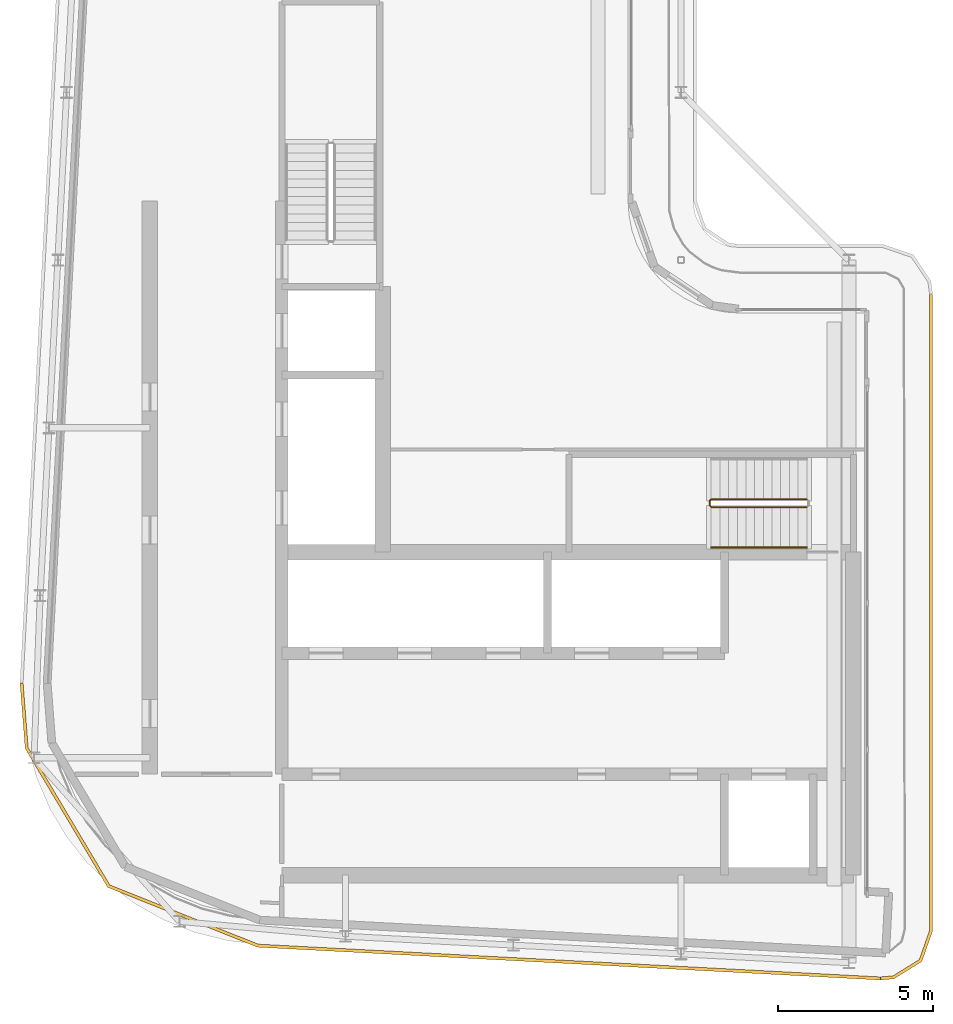
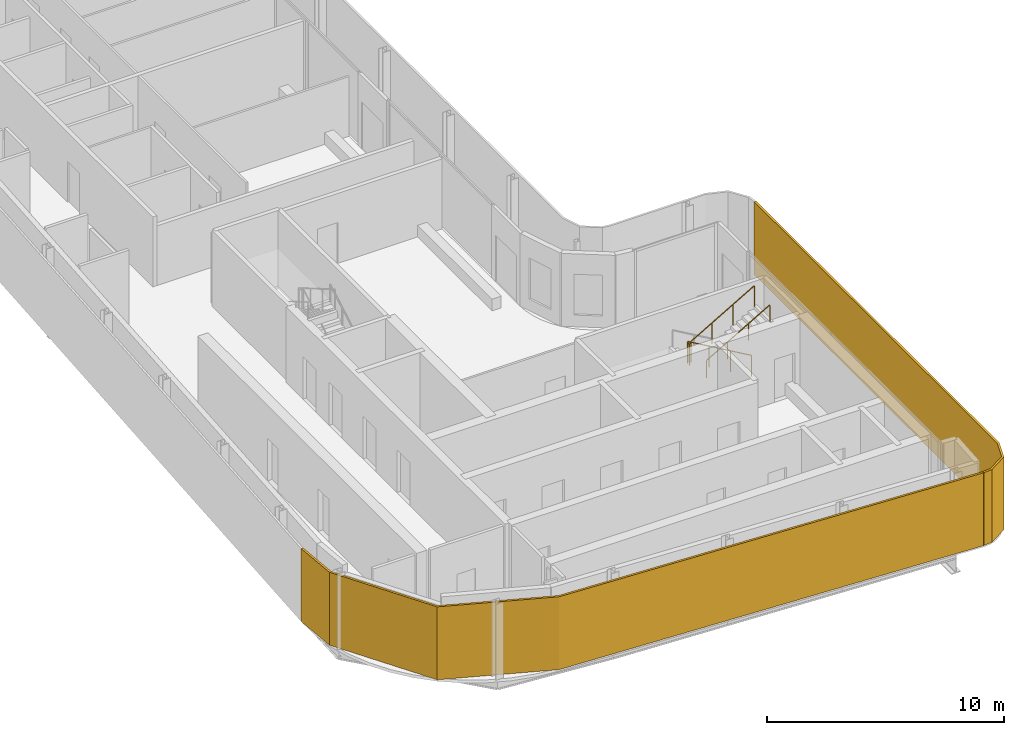
# One storey, part 13 of 19: 2 railings, 2 shading devices.
"""IFC4 building model written with IfcOpenShell, lengths in metres."""

from ifc_helpers import new_model, si_unit, direction, frame, origin, origin_2d, place, context, subcontext, project, spatial, polyline, circle, outline, extrude, material, layer, layer_set, type_object, element, save


model = new_model("IFC4")

# Units and contexts
model_context = context("Model", 3, precision=1e-05, world=origin(), true_north=direction((0.0, 1.0)))
body_context = subcontext(model_context, "Body", "Model", "MODEL_VIEW")
ifc_project = project(units=[si_unit("LENGTHUNIT", "METRE"), si_unit("AREAUNIT", "SQUARE_METRE"), si_unit("VOLUMEUNIT", "CUBIC_METRE"), si_unit("PLANEANGLEUNIT", "RADIAN"), si_unit("MASSUNIT", "GRAM", prefix="KILO")], contexts=[model_context])

# Site, building, storey
site_placement = place(None, origin())
site = spatial("IfcSite", under=ifc_project, at=site_placement, CompositionType="ELEMENT")
building_placement = place(site_placement, origin())
building = spatial("IfcBuilding", under=site, at=building_placement, Name="Kheshtan School and Residences Tower", CompositionType="ELEMENT")
storey_placement = place(building_placement, frame((0.0, 0.0, 353.89990234375)))
storey = spatial("IfcBuildingStorey", under=building, at=storey_placement, Name="L83", CompositionType="ELEMENT", Elevation=353.89990234375)

# Shading devices
ifc_material_1 = material(Name="Terracotta baguette, extruded ceramic", Category="masonry")
ifc_layer_1 = layer(ifc_material_1, 0.10009765625)
ifc_layer_set_1 = layer_set([ifc_layer_1], Name="Ledge screen, terracotta baguettes")
shading_device_type_1 = type_object("IfcShadingDeviceType", Name="Ledge screen, terracotta baguettes", PredefinedType="USERDEFINED", material=ifc_layer_set_1)
shading_device_1_placement = place(storey_placement, origin())
element("IfcShadingDevice", 1, at=shading_device_1_placement, inside=storey, type_object=shading_device_type_1, Name="Screen L83 3", ObjectType="BAGUETTE", PredefinedType="USERDEFINED", context=body_context, shape_type="SweptSolid", body=[
    extrude(outline(polyline([(54.02099609375, 22.52490234375), (33.989013671875, 23.580078125), (29.2119140625, 25.486083984375), (26.583984375, 29.906982421875), (26.419921875, 31.989013671875), (26.320068359375, 31.98095703125), (26.486083984375, 29.8759765625), (29.14306640625, 25.406005859375), (33.967041015625, 23.48095703125), (54.01611328125, 22.425048828125), (54.02099609375, 22.52490234375)])), origin(), (0.0, 0.0, 1.0), 3.75),
])
ifc_material_2 = material(Name="Terracotta lattice, extruded ceramic", Category="masonry")
ifc_layer_2 = layer(ifc_material_2, 0.10009765625)
ifc_layer_set_2 = layer_set([ifc_layer_2], Name="Loggia screen, terracotta lattice")
shading_device_type_2 = type_object("IfcShadingDeviceType", Name="Loggia screen, terracotta lattice", PredefinedType="USERDEFINED", material=ifc_layer_set_2)
shading_device_2_placement = place(storey_placement, origin())
element("IfcShadingDevice", 2, at=shading_device_2_placement, inside=storey, type_object=shading_device_type_2, Name="Screen L83 2", ObjectType="SCREEN", PredefinedType="USERDEFINED", context=body_context, shape_type="SweptSolid", body=[
    extrude(outline(polyline([(55.60009765625, 44.5), (55.60009765625, 24.02294921875), (55.27001953125, 23.083984375), (54.424072265625, 22.55908203125), (54.02099609375, 22.52490234375), (54.029052734375, 22.425048828125), (54.4560546875, 22.4609375), (55.35302734375, 23.01806640625), (55.699951171875, 24.006103515625), (55.699951171875, 44.5), (55.60009765625, 44.5)])), origin(), (0.0, 0.0, 1.0), 3.75),
])

# Railings
ifc_material_3 = material(Name="Stainless steel balustrade", Category="steel")
railing_type_1 = type_object("IfcRailingType", Name="Stair guard 1100", PredefinedType="GUARDRAIL", material=ifc_material_3)
railing_1_placement = place(storey_placement, frame((51.64990234375, 37.89990234375, 0.16259765625)))
element("IfcRailing", 3, at=railing_1_placement, inside=storey, type_object=railing_type_1, Name="L83 ST1 stair guard 1", PredefinedType="GUARDRAIL", context=body_context, shape_type="SweptSolid", body=[
    extrude(circle(Radius=0.02392578125, at=origin_2d()), frame((0.0, 0.0, 1.076171875), z_axis=(-0.864873446163, 0.0, 0.501989962173), x_axis=(0.0, -1.0, 0.0)), (0.0, 0.0, 1.0), 3.56103515625),
    extrude(circle(Radius=0.02392578125, at=origin_2d()), frame((-3.079833984375, 0.0, 2.86376953125), z_axis=(-0.708833529934, -0.705375805398, 0.0), x_axis=(0.705375805398, -0.708833529934, 0.0)), (0.0, 0.0, 1.0), 0.070556640625),
    extrude(circle(Radius=0.02392578125, at=origin_2d()), frame((-3.1298828125, -0.0498046875, 2.86376953125), z_axis=(0.0, -1.0, 0.0), x_axis=(1.0, 0.0, 0.0)), (0.0, 0.0, 1.0), 0.150146484375),
    extrude(circle(Radius=0.02392578125, at=origin_2d()), frame((-3.1298828125, -0.199951171875, 2.86376953125), z_axis=(0.282583949758, -0.282583949758, 0.916674763849), x_axis=(0.707106781187, 0.707106781187, 0.0)), (0.0, 0.0, 1.0), 0.177001953125),
    extrude(circle(Radius=0.02392578125, at=origin_2d()), frame((-3.079833984375, -0.25, 3.02587890625), z_axis=(0.864873446163, 0.0, 0.501989962173), x_axis=(0.0, 1.0, 0.0)), (0.0, 0.0, 1.0), 3.56103515625),
    extrude(circle(Radius=0.02099609375, at=origin_2d()), origin(), (0.0, 0.0, 1.0), 1.052001953125),
    extrude(circle(Radius=0.02099609375, at=origin_2d()), frame((-1.026611328125, 0.0, 0.595947265625)), (0.0, 0.0, 1.0), 1.052001953125),
    extrude(circle(Radius=0.02099609375, at=origin_2d()), frame((-2.05322265625, 0.0, 1.191650390625)), (0.0, 0.0, 1.0), 1.052001953125),
    extrude(circle(Radius=0.02099609375, at=origin_2d()), frame((-3.079833984375, 0.0, 1.78759765625)), (0.0, 0.0, 1.0), 1.052001953125),
    extrude(circle(Radius=0.02099609375, at=origin_2d()), frame((-3.1298828125, -0.0498046875, 1.78759765625)), (0.0, 0.0, 1.0), 1.052001953125),
    extrude(circle(Radius=0.02099609375, at=origin_2d()), frame((-3.1298828125, -0.199951171875, 1.78759765625)), (0.0, 0.0, 1.0), 1.052001953125),
    extrude(circle(Radius=0.02099609375, at=origin_2d()), frame((-3.079833984375, -0.25, 1.949951171875)), (0.0, 0.0, 1.0), 1.052001953125),
    extrude(circle(Radius=0.02099609375, at=origin_2d()), frame((-2.05322265625, -0.25, 2.5458984375)), (0.0, 0.0, 1.0), 1.052001953125),
    extrude(circle(Radius=0.02099609375, at=origin_2d()), frame((-1.026611328125, -0.25, 3.1416015625)), (0.0, 0.0, 1.0), 1.052001953125),
    extrude(circle(Radius=0.02099609375, at=origin_2d()), frame((0.0, -0.25, 3.737548828125)), (0.0, 0.0, 1.0), 1.052001953125),
])
ifc_material_4 = material(Name="Stainless steel handrail", Category="steel")
railing_type_2 = type_object("IfcRailingType", Name="Stair handrail 900", PredefinedType="HANDRAIL", material=ifc_material_4)
railing_2_placement = place(storey_placement, frame((48.570068359375, 36.35009765625, 2.112548828125)))
element("IfcRailing", 4, at=railing_2_placement, inside=storey, type_object=railing_type_2, Name="L83 ST1 stair handrail 2", PredefinedType="HANDRAIL", context=body_context, shape_type="SweptSolid", body=[
    extrude(circle(Radius=0.02392578125, at=origin_2d()), frame((0.0, 0.0, 0.8759765625), z_axis=(0.864873446163, 0.0, 0.501989962173), x_axis=(0.0, 1.0, 0.0)), (0.0, 0.0, 1.0), 3.56103515625),
    extrude(circle(Radius=0.02099609375, at=origin_2d()), origin(), (0.0, 0.0, 1.0), 0.851806640625),
    extrude(circle(Radius=0.02099609375, at=origin_2d()), frame((1.026611328125, 0.0, 0.595947265625)), (0.0, 0.0, 1.0), 0.851806640625),
    extrude(circle(Radius=0.02099609375, at=origin_2d()), frame((2.05322265625, 0.0, 1.191650390625)), (0.0, 0.0, 1.0), 0.851806640625),
    extrude(circle(Radius=0.02099609375, at=origin_2d()), frame((3.079833984375, 0.0, 1.78759765625)), (0.0, 0.0, 1.0), 0.851806640625),
])

save(model, "model.ifc")
